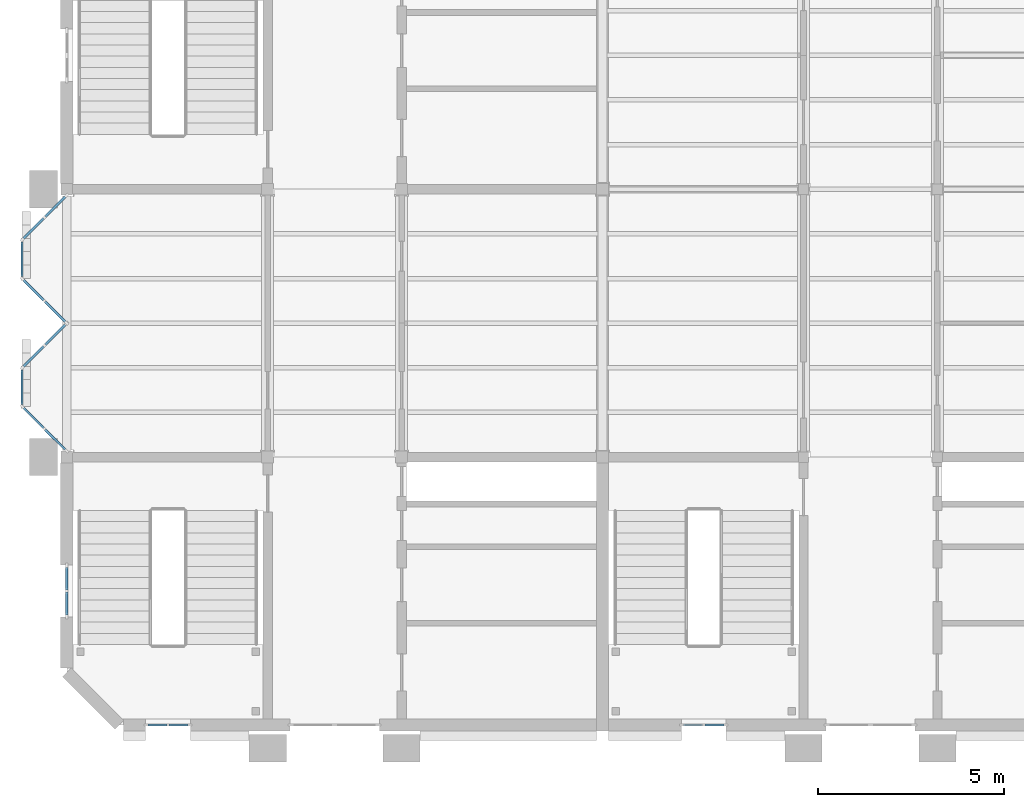
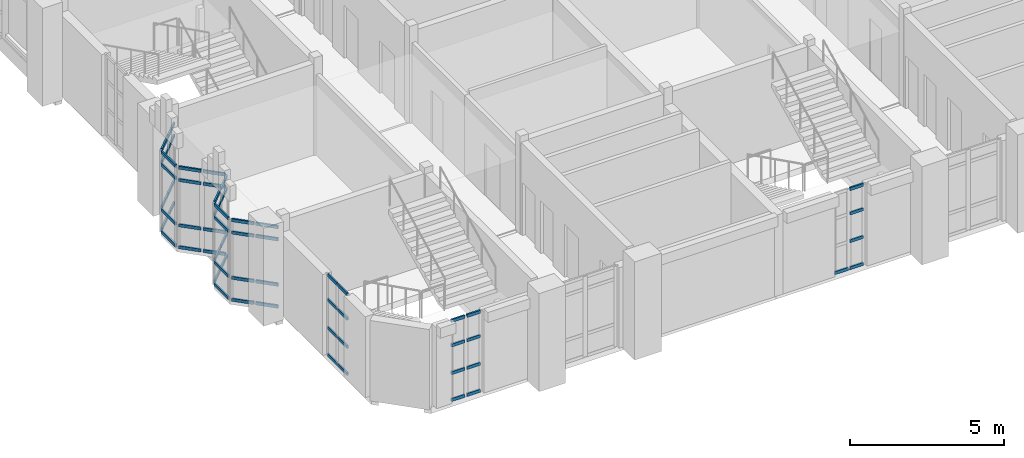
# One storey, part 21 of 71: 61 members, 9 elements without a shape of their own.
"""IFC4 building model written with IfcOpenShell, lengths in metres."""

from ifc_helpers import new_model, si_unit, direction, frame, origin, origin_2d, place, context, subcontext, project, spatial, rectangle, extrude, material, layer, layer_set, material_profile, profile_set, type_object, element, aggregate, save


model = new_model("IFC4")

# Units and contexts
model_context = context("Model", 3, precision=1e-05, world=origin(), true_north=direction((0.0, 1.0)))
body_context = subcontext(model_context, "Body", "Model", "MODEL_VIEW")
ifc_project = project(units=[si_unit("LENGTHUNIT", "METRE"), si_unit("AREAUNIT", "SQUARE_METRE"), si_unit("VOLUMEUNIT", "CUBIC_METRE"), si_unit("PLANEANGLEUNIT", "RADIAN"), si_unit("MASSUNIT", "GRAM", prefix="KILO")], contexts=[model_context])

# Site, building, storey
site_placement = place(None, origin())
site = spatial("IfcSite", under=ifc_project, at=site_placement, CompositionType="ELEMENT")
building_placement = place(site_placement, origin())
building = spatial("IfcBuilding", under=site, at=building_placement, Name="Mazhai Court Health Centre", CompositionType="ELEMENT")
storey_placement = place(building_placement, frame((0.0, 0.0, 10.199951171875)))
storey = spatial("IfcBuildingStorey", under=building, at=storey_placement, Name="L02", CompositionType="ELEMENT", Elevation=10.199951171875)

# Curtain wall, members
ifc_material_1 = material(Name="Teak timber frame, glazed", Category="wood")
ifc_layer_1 = layer(ifc_material_1, 0.10009765625)
ifc_layer_set_1 = layer_set([ifc_layer_1], Name="CURTAIN WALL TIMBER 600")
curtain_wall_type_1 = type_object("IfcCurtainWallType", Name="CURTAIN WALL TIMBER 600", PredefinedType="NOTDEFINED", material=ifc_layer_set_1)
curtain_wall_1_placement = place(storey_placement, origin())
curtain_wall_1 = element("IfcCurtainWall", 1, at=curtain_wall_1_placement, inside=storey, type_object=curtain_wall_type_1, Name="CW-V2-L02-A0", PredefinedType="NOTDEFINED")
ifc_material_2 = material(Name="Teak timber", Category="wood")
ifc_material_profile = material_profile(ifc_material_2, rectangle(XDim=0.06005859375, YDim=0.1201171875, at=origin_2d()), Name="CW TRANSOM 60x120")
ifc_profile_set = profile_set([ifc_material_profile], Name="Teak timber")
member_type = type_object("IfcMemberType", Name="CW TRANSOM 60x120", PredefinedType="USERDEFINED", material=ifc_profile_set)
member_1_placement = place(storey_placement, frame((6.199951171875, 9.159912109375, 0.030029296875), z_axis=(0.0, 1.0, 0.0), x_axis=(-1.0, 0.0, 0.0)))
member_1 = element("IfcMember", 2, at=member_1_placement, type_object=member_type, Name="CW transom 1.1", ObjectType="TRANSOM", PredefinedType="USERDEFINED", context=body_context, shape_type="SweptSolid", body=[
    extrude(rectangle(XDim=0.06005859375, YDim=0.1201171875, at=origin_2d()), origin(), (0.0, 0.0, 1.0), 0.610107421875),
])
member_2_placement = place(storey_placement, frame((6.199951171875, 9.159912109375, 1.10009765625), z_axis=(0.0, 1.0, 0.0), x_axis=(-1.0, 0.0, 0.0)))
member_2 = element("IfcMember", 3, at=member_2_placement, type_object=member_type, Name="CW transom 1.2", ObjectType="TRANSOM", PredefinedType="USERDEFINED", context=body_context, shape_type="SweptSolid", body=[
    extrude(rectangle(XDim=0.06005859375, YDim=0.1201171875, at=origin_2d()), origin(), (0.0, 0.0, 1.0), 0.610107421875),
])
member_3_placement = place(storey_placement, frame((6.199951171875, 9.159912109375, 2.219970703125), z_axis=(0.0, 1.0, 0.0), x_axis=(-1.0, 0.0, 0.0)))
member_3 = element("IfcMember", 4, at=member_3_placement, type_object=member_type, Name="CW transom 1.3", ObjectType="TRANSOM", PredefinedType="USERDEFINED", context=body_context, shape_type="SweptSolid", body=[
    extrude(rectangle(XDim=0.06005859375, YDim=0.1201171875, at=origin_2d()), origin(), (0.0, 0.0, 1.0), 0.610107421875),
])
member_4_placement = place(storey_placement, frame((6.199951171875, 9.159912109375, 3.18994140625), z_axis=(0.0, 1.0, 0.0), x_axis=(-1.0, 0.0, 0.0)))
member_4 = element("IfcMember", 5, at=member_4_placement, type_object=member_type, Name="CW transom 1.4", ObjectType="TRANSOM", PredefinedType="USERDEFINED", context=body_context, shape_type="SweptSolid", body=[
    extrude(rectangle(XDim=0.06005859375, YDim=0.1201171875, at=origin_2d()), origin(), (0.0, 0.0, 1.0), 0.610107421875),
])
member_5_placement = place(storey_placement, frame((6.199951171875, 9.830078125, 0.030029296875), z_axis=(0.0, 1.0, 0.0), x_axis=(-1.0, 0.0, 0.0)))
member_5 = element("IfcMember", 6, at=member_5_placement, type_object=member_type, Name="CW transom 2.1", ObjectType="TRANSOM", PredefinedType="USERDEFINED", context=body_context, shape_type="SweptSolid", body=[
    extrude(rectangle(XDim=0.06005859375, YDim=0.1201171875, at=origin_2d()), origin(), (0.0, 0.0, 1.0), 0.60986328125),
])
member_6_placement = place(storey_placement, frame((6.199951171875, 9.830078125, 1.10009765625), z_axis=(0.0, 1.0, 0.0), x_axis=(-1.0, 0.0, 0.0)))
member_6 = element("IfcMember", 7, at=member_6_placement, type_object=member_type, Name="CW transom 2.2", ObjectType="TRANSOM", PredefinedType="USERDEFINED", context=body_context, shape_type="SweptSolid", body=[
    extrude(rectangle(XDim=0.06005859375, YDim=0.1201171875, at=origin_2d()), origin(), (0.0, 0.0, 1.0), 0.60986328125),
])
member_7_placement = place(storey_placement, frame((6.199951171875, 9.830078125, 2.219970703125), z_axis=(0.0, 1.0, 0.0), x_axis=(-1.0, 0.0, 0.0)))
member_7 = element("IfcMember", 8, at=member_7_placement, type_object=member_type, Name="CW transom 2.3", ObjectType="TRANSOM", PredefinedType="USERDEFINED", context=body_context, shape_type="SweptSolid", body=[
    extrude(rectangle(XDim=0.06005859375, YDim=0.1201171875, at=origin_2d()), origin(), (0.0, 0.0, 1.0), 0.60986328125),
])
member_8_placement = place(storey_placement, frame((6.199951171875, 9.830078125, 3.18994140625), z_axis=(0.0, 1.0, 0.0), x_axis=(-1.0, 0.0, 0.0)))
member_8 = element("IfcMember", 9, at=member_8_placement, type_object=member_type, Name="CW transom 2.4", ObjectType="TRANSOM", PredefinedType="USERDEFINED", context=body_context, shape_type="SweptSolid", body=[
    extrude(rectangle(XDim=0.06005859375, YDim=0.1201171875, at=origin_2d()), origin(), (0.0, 0.0, 1.0), 0.60986328125),
])
aggregate(curtain_wall_1, [member_1, member_2, member_3, member_4, member_5, member_6, member_7, member_8])

ifc_material_3 = material(Name="Teak timber frame, glazed", Category="wood")
ifc_layer_2 = layer(ifc_material_3, 0.10009765625)
ifc_layer_set_2 = layer_set([ifc_layer_2], Name="CURTAIN WALL TIMBER 900")
curtain_wall_type_2 = type_object("IfcCurtainWallType", Name="CURTAIN WALL TIMBER 900", PredefinedType="NOTDEFINED", material=ifc_layer_set_2)
curtain_wall_2_placement = place(storey_placement, origin())
curtain_wall_2 = element("IfcCurtainWall", 10, at=curtain_wall_2_placement, inside=storey, type_object=curtain_wall_type_2, Name="CW-ORIEL-V2-L02-A10-0", PredefinedType="NOTDEFINED")
member_9_placement = place(storey_placement, frame((6.157470703125, 13.6025390625, 0.030029296875), z_axis=(-0.707267725025, 0.706945800708, 0.0), x_axis=(-0.706945800708, -0.707267725025, 0.0)))
member_9 = element("IfcMember", 11, at=member_9_placement, type_object=member_type, Name="CW transom 1.1", ObjectType="TRANSOM", PredefinedType="USERDEFINED", context=body_context, shape_type="SweptSolid", body=[
    extrude(rectangle(XDim=0.06005859375, YDim=0.1201171875, at=origin_2d()), origin(), (0.0, 0.0, 1.0), 0.75830078125),
])
member_10_placement = place(storey_placement, frame((6.157470703125, 13.6025390625, 0.900146484375), z_axis=(-0.707267725025, 0.706945800708, 0.0), x_axis=(-0.706945800708, -0.707267725025, 0.0)))
member_10 = element("IfcMember", 12, at=member_10_placement, type_object=member_type, Name="CW transom 1.2", ObjectType="TRANSOM", PredefinedType="USERDEFINED", context=body_context, shape_type="SweptSolid", body=[
    extrude(rectangle(XDim=0.06005859375, YDim=0.1201171875, at=origin_2d()), origin(), (0.0, 0.0, 1.0), 0.75830078125),
])
member_11_placement = place(storey_placement, frame((6.157470703125, 13.6025390625, 2.699951171875), z_axis=(-0.707267725025, 0.706945800708, 0.0), x_axis=(-0.706945800708, -0.707267725025, 0.0)))
member_11 = element("IfcMember", 13, at=member_11_placement, type_object=member_type, Name="CW transom 1.3", ObjectType="TRANSOM", PredefinedType="USERDEFINED", context=body_context, shape_type="SweptSolid", body=[
    extrude(rectangle(XDim=0.06005859375, YDim=0.1201171875, at=origin_2d()), origin(), (0.0, 0.0, 1.0), 0.75830078125),
])
member_12_placement = place(storey_placement, frame((6.157470703125, 13.6025390625, 3.18994140625), z_axis=(-0.707267725025, 0.706945800708, 0.0), x_axis=(-0.706945800708, -0.707267725025, 0.0)))
member_12 = element("IfcMember", 14, at=member_12_placement, type_object=member_type, Name="CW transom 1.4", ObjectType="TRANSOM", PredefinedType="USERDEFINED", context=body_context, shape_type="SweptSolid", body=[
    extrude(rectangle(XDim=0.06005859375, YDim=0.1201171875, at=origin_2d()), origin(), (0.0, 0.0, 1.0), 0.75830078125),
])
member_13_placement = place(storey_placement, frame((5.578857421875, 14.18115234375, 0.030029296875), z_axis=(-0.707106781187, 0.707106781187, 0.0), x_axis=(-0.707106781187, -0.707106781187, 0.0)))
member_13 = element("IfcMember", 15, at=member_13_placement, type_object=member_type, Name="CW transom 2.1", ObjectType="TRANSOM", PredefinedType="USERDEFINED", context=body_context, shape_type="SweptSolid", body=[
    extrude(rectangle(XDim=0.06005859375, YDim=0.1201171875, at=origin_2d()), origin(), (0.0, 0.0, 1.0), 0.758544921875),
])
member_14_placement = place(storey_placement, frame((5.578857421875, 14.18115234375, 0.900146484375), z_axis=(-0.707106781187, 0.707106781187, 0.0), x_axis=(-0.707106781187, -0.707106781187, 0.0)))
member_14 = element("IfcMember", 16, at=member_14_placement, type_object=member_type, Name="CW transom 2.2", ObjectType="TRANSOM", PredefinedType="USERDEFINED", context=body_context, shape_type="SweptSolid", body=[
    extrude(rectangle(XDim=0.06005859375, YDim=0.1201171875, at=origin_2d()), origin(), (0.0, 0.0, 1.0), 0.758544921875),
])
member_15_placement = place(storey_placement, frame((5.578857421875, 14.18115234375, 2.699951171875), z_axis=(-0.707106781187, 0.707106781187, 0.0), x_axis=(-0.707106781187, -0.707106781187, 0.0)))
member_15 = element("IfcMember", 17, at=member_15_placement, type_object=member_type, Name="CW transom 2.3", ObjectType="TRANSOM", PredefinedType="USERDEFINED", context=body_context, shape_type="SweptSolid", body=[
    extrude(rectangle(XDim=0.06005859375, YDim=0.1201171875, at=origin_2d()), origin(), (0.0, 0.0, 1.0), 0.758544921875),
])
member_16_placement = place(storey_placement, frame((5.578857421875, 14.18115234375, 3.18994140625), z_axis=(-0.707106781187, 0.707106781187, 0.0), x_axis=(-0.707106781187, -0.707106781187, 0.0)))
member_16 = element("IfcMember", 18, at=member_16_placement, type_object=member_type, Name="CW transom 2.4", ObjectType="TRANSOM", PredefinedType="USERDEFINED", context=body_context, shape_type="SweptSolid", body=[
    extrude(rectangle(XDim=0.06005859375, YDim=0.1201171875, at=origin_2d()), origin(), (0.0, 0.0, 1.0), 0.758544921875),
])
aggregate(curtain_wall_2, [member_9, member_10, member_11, member_12, member_13, member_14, member_15, member_16])

curtain_wall_3_placement = place(storey_placement, origin())
curtain_wall_3 = element("IfcCurtainWall", 19, at=curtain_wall_3_placement, inside=storey, type_object=curtain_wall_type_2, Name="CW-ORIEL-V2-L02-A10-1", PredefinedType="NOTDEFINED")
member_17_placement = place(storey_placement, frame((5.0, 14.820068359375, 0.030029296875), z_axis=(0.0, 1.0, 0.0), x_axis=(-1.0, 0.0, 0.0)))
member_17 = element("IfcMember", 20, at=member_17_placement, type_object=member_type, Name="CW transom 1.1", ObjectType="TRANSOM", PredefinedType="USERDEFINED", context=body_context, shape_type="SweptSolid", body=[
    extrude(rectangle(XDim=0.06005859375, YDim=0.1201171875, at=origin_2d()), origin(), (0.0, 0.0, 1.0), 0.919921875),
])
member_18_placement = place(storey_placement, frame((5.0, 14.820068359375, 0.900146484375), z_axis=(0.0, 1.0, 0.0), x_axis=(-1.0, 0.0, 0.0)))
member_18 = element("IfcMember", 21, at=member_18_placement, type_object=member_type, Name="CW transom 1.2", ObjectType="TRANSOM", PredefinedType="USERDEFINED", context=body_context, shape_type="SweptSolid", body=[
    extrude(rectangle(XDim=0.06005859375, YDim=0.1201171875, at=origin_2d()), origin(), (0.0, 0.0, 1.0), 0.919921875),
])
member_19_placement = place(storey_placement, frame((5.0, 14.820068359375, 2.699951171875), z_axis=(0.0, 1.0, 0.0), x_axis=(-1.0, 0.0, 0.0)))
member_19 = element("IfcMember", 22, at=member_19_placement, type_object=member_type, Name="CW transom 1.3", ObjectType="TRANSOM", PredefinedType="USERDEFINED", context=body_context, shape_type="SweptSolid", body=[
    extrude(rectangle(XDim=0.06005859375, YDim=0.1201171875, at=origin_2d()), origin(), (0.0, 0.0, 1.0), 0.919921875),
])
member_20_placement = place(storey_placement, frame((5.0, 14.820068359375, 3.18994140625), z_axis=(0.0, 1.0, 0.0), x_axis=(-1.0, 0.0, 0.0)))
member_20 = element("IfcMember", 23, at=member_20_placement, type_object=member_type, Name="CW transom 1.4", ObjectType="TRANSOM", PredefinedType="USERDEFINED", context=body_context, shape_type="SweptSolid", body=[
    extrude(rectangle(XDim=0.06005859375, YDim=0.1201171875, at=origin_2d()), origin(), (0.0, 0.0, 1.0), 0.919921875),
])
aggregate(curtain_wall_3, [member_17, member_18, member_19, member_20])

curtain_wall_4_placement = place(storey_placement, origin())
curtain_wall_4 = element("IfcCurtainWall", 24, at=curtain_wall_4_placement, inside=storey, type_object=curtain_wall_type_2, Name="CW-ORIEL-V2-L02-A10-2", PredefinedType="NOTDEFINED")
member_21_placement = place(storey_placement, frame((5.04248046875, 15.842529296875, 0.030029296875), z_axis=(0.707106781187, 0.707106781187, 0.0), x_axis=(-0.707106781187, 0.707106781187, 0.0)))
member_21 = element("IfcMember", 25, at=member_21_placement, type_object=member_type, Name="CW transom 1.1", ObjectType="TRANSOM", PredefinedType="USERDEFINED", context=body_context, shape_type="SweptSolid", body=[
    extrude(rectangle(XDim=0.06005859375, YDim=0.1201171875, at=origin_2d()), origin(), (0.0, 0.0, 1.0), 0.758544921875),
])
member_22_placement = place(storey_placement, frame((5.04248046875, 15.842529296875, 0.900146484375), z_axis=(0.707106781187, 0.707106781187, 0.0), x_axis=(-0.707106781187, 0.707106781187, 0.0)))
member_22 = element("IfcMember", 26, at=member_22_placement, type_object=member_type, Name="CW transom 1.2", ObjectType="TRANSOM", PredefinedType="USERDEFINED", context=body_context, shape_type="SweptSolid", body=[
    extrude(rectangle(XDim=0.06005859375, YDim=0.1201171875, at=origin_2d()), origin(), (0.0, 0.0, 1.0), 0.758544921875),
])
member_23_placement = place(storey_placement, frame((5.04248046875, 15.842529296875, 2.699951171875), z_axis=(0.707106781187, 0.707106781187, 0.0), x_axis=(-0.707106781187, 0.707106781187, 0.0)))
member_23 = element("IfcMember", 27, at=member_23_placement, type_object=member_type, Name="CW transom 1.3", ObjectType="TRANSOM", PredefinedType="USERDEFINED", context=body_context, shape_type="SweptSolid", body=[
    extrude(rectangle(XDim=0.06005859375, YDim=0.1201171875, at=origin_2d()), origin(), (0.0, 0.0, 1.0), 0.758544921875),
])
member_24_placement = place(storey_placement, frame((5.04248046875, 15.842529296875, 3.18994140625), z_axis=(0.707106781187, 0.707106781187, 0.0), x_axis=(-0.707106781187, 0.707106781187, 0.0)))
member_24 = element("IfcMember", 28, at=member_24_placement, type_object=member_type, Name="CW transom 1.4", ObjectType="TRANSOM", PredefinedType="USERDEFINED", context=body_context, shape_type="SweptSolid", body=[
    extrude(rectangle(XDim=0.06005859375, YDim=0.1201171875, at=origin_2d()), origin(), (0.0, 0.0, 1.0), 0.758544921875),
])
member_25_placement = place(storey_placement, frame((5.62109375, 16.421142578125, 0.030029296875), z_axis=(0.707106781187, 0.707106781187, 0.0), x_axis=(-0.707106781187, 0.707106781187, 0.0)))
member_25 = element("IfcMember", 29, at=member_25_placement, type_object=member_type, Name="CW transom 2.1", ObjectType="TRANSOM", PredefinedType="USERDEFINED", context=body_context, shape_type="SweptSolid", body=[
    extrude(rectangle(XDim=0.06005859375, YDim=0.1201171875, at=origin_2d()), origin(), (0.0, 0.0, 1.0), 0.758544921875),
])
member_26_placement = place(storey_placement, frame((5.62109375, 16.421142578125, 0.900146484375), z_axis=(0.707106781187, 0.707106781187, 0.0), x_axis=(-0.707106781187, 0.707106781187, 0.0)))
member_26 = element("IfcMember", 30, at=member_26_placement, type_object=member_type, Name="CW transom 2.2", ObjectType="TRANSOM", PredefinedType="USERDEFINED", context=body_context, shape_type="SweptSolid", body=[
    extrude(rectangle(XDim=0.06005859375, YDim=0.1201171875, at=origin_2d()), origin(), (0.0, 0.0, 1.0), 0.758544921875),
])
member_27_placement = place(storey_placement, frame((5.62109375, 16.421142578125, 2.699951171875), z_axis=(0.707106781187, 0.707106781187, 0.0), x_axis=(-0.707106781187, 0.707106781187, 0.0)))
member_27 = element("IfcMember", 31, at=member_27_placement, type_object=member_type, Name="CW transom 2.3", ObjectType="TRANSOM", PredefinedType="USERDEFINED", context=body_context, shape_type="SweptSolid", body=[
    extrude(rectangle(XDim=0.06005859375, YDim=0.1201171875, at=origin_2d()), origin(), (0.0, 0.0, 1.0), 0.758544921875),
])
member_28_placement = place(storey_placement, frame((5.62109375, 16.421142578125, 3.18994140625), z_axis=(0.707106781187, 0.707106781187, 0.0), x_axis=(-0.707106781187, 0.707106781187, 0.0)))
member_28 = element("IfcMember", 32, at=member_28_placement, type_object=member_type, Name="CW transom 2.4", ObjectType="TRANSOM", PredefinedType="USERDEFINED", context=body_context, shape_type="SweptSolid", body=[
    extrude(rectangle(XDim=0.06005859375, YDim=0.1201171875, at=origin_2d()), origin(), (0.0, 0.0, 1.0), 0.758544921875),
])
aggregate(curtain_wall_4, [member_21, member_22, member_23, member_24, member_25, member_26, member_27, member_28])

curtain_wall_5_placement = place(storey_placement, origin())
curtain_wall_5 = element("IfcCurtainWall", 33, at=curtain_wall_5_placement, inside=storey, type_object=curtain_wall_type_2, Name="CW-ORIEL-V2-L02-A11-0", PredefinedType="NOTDEFINED")
member_29_placement = place(storey_placement, frame((6.157470703125, 17.04248046875, 0.030029296875), z_axis=(-0.707106781187, 0.707106781187, 0.0), x_axis=(-0.707106781187, -0.707106781187, 0.0)))
member_29 = element("IfcMember", 34, at=member_29_placement, type_object=member_type, Name="CW transom 1.1", ObjectType="TRANSOM", PredefinedType="USERDEFINED", context=body_context, shape_type="SweptSolid", body=[
    extrude(rectangle(XDim=0.06005859375, YDim=0.1201171875, at=origin_2d()), origin(), (0.0, 0.0, 1.0), 0.758544921875),
])
member_30_placement = place(storey_placement, frame((6.157470703125, 17.04248046875, 0.900146484375), z_axis=(-0.707106781187, 0.707106781187, 0.0), x_axis=(-0.707106781187, -0.707106781187, 0.0)))
member_30 = element("IfcMember", 35, at=member_30_placement, type_object=member_type, Name="CW transom 1.2", ObjectType="TRANSOM", PredefinedType="USERDEFINED", context=body_context, shape_type="SweptSolid", body=[
    extrude(rectangle(XDim=0.06005859375, YDim=0.1201171875, at=origin_2d()), origin(), (0.0, 0.0, 1.0), 0.758544921875),
])
member_31_placement = place(storey_placement, frame((6.157470703125, 17.04248046875, 2.699951171875), z_axis=(-0.707106781187, 0.707106781187, 0.0), x_axis=(-0.707106781187, -0.707106781187, 0.0)))
member_31 = element("IfcMember", 36, at=member_31_placement, type_object=member_type, Name="CW transom 1.3", ObjectType="TRANSOM", PredefinedType="USERDEFINED", context=body_context, shape_type="SweptSolid", body=[
    extrude(rectangle(XDim=0.06005859375, YDim=0.1201171875, at=origin_2d()), origin(), (0.0, 0.0, 1.0), 0.758544921875),
])
member_32_placement = place(storey_placement, frame((6.157470703125, 17.04248046875, 3.18994140625), z_axis=(-0.707106781187, 0.707106781187, 0.0), x_axis=(-0.707106781187, -0.707106781187, 0.0)))
member_32 = element("IfcMember", 37, at=member_32_placement, type_object=member_type, Name="CW transom 1.4", ObjectType="TRANSOM", PredefinedType="USERDEFINED", context=body_context, shape_type="SweptSolid", body=[
    extrude(rectangle(XDim=0.06005859375, YDim=0.1201171875, at=origin_2d()), origin(), (0.0, 0.0, 1.0), 0.758544921875),
])
member_33_placement = place(storey_placement, frame((5.578857421875, 17.62109375, 0.030029296875), z_axis=(-0.707106781187, 0.707106781187, 0.0), x_axis=(-0.707106781187, -0.707106781187, 0.0)))
member_33 = element("IfcMember", 38, at=member_33_placement, type_object=member_type, Name="CW transom 2.1", ObjectType="TRANSOM", PredefinedType="USERDEFINED", context=body_context, shape_type="SweptSolid", body=[
    extrude(rectangle(XDim=0.06005859375, YDim=0.1201171875, at=origin_2d()), origin(), (0.0, 0.0, 1.0), 0.758544921875),
])
member_34_placement = place(storey_placement, frame((5.578857421875, 17.62109375, 0.900146484375), z_axis=(-0.707106781187, 0.707106781187, 0.0), x_axis=(-0.707106781187, -0.707106781187, 0.0)))
member_34 = element("IfcMember", 39, at=member_34_placement, type_object=member_type, Name="CW transom 2.2", ObjectType="TRANSOM", PredefinedType="USERDEFINED", context=body_context, shape_type="SweptSolid", body=[
    extrude(rectangle(XDim=0.06005859375, YDim=0.1201171875, at=origin_2d()), origin(), (0.0, 0.0, 1.0), 0.758544921875),
])
member_35_placement = place(storey_placement, frame((5.578857421875, 17.62109375, 2.699951171875), z_axis=(-0.707106781187, 0.707106781187, 0.0), x_axis=(-0.707106781187, -0.707106781187, 0.0)))
member_35 = element("IfcMember", 40, at=member_35_placement, type_object=member_type, Name="CW transom 2.3", ObjectType="TRANSOM", PredefinedType="USERDEFINED", context=body_context, shape_type="SweptSolid", body=[
    extrude(rectangle(XDim=0.06005859375, YDim=0.1201171875, at=origin_2d()), origin(), (0.0, 0.0, 1.0), 0.758544921875),
])
member_36_placement = place(storey_placement, frame((5.578857421875, 17.62109375, 3.18994140625), z_axis=(-0.707106781187, 0.707106781187, 0.0), x_axis=(-0.707106781187, -0.707106781187, 0.0)))
member_36 = element("IfcMember", 41, at=member_36_placement, type_object=member_type, Name="CW transom 2.4", ObjectType="TRANSOM", PredefinedType="USERDEFINED", context=body_context, shape_type="SweptSolid", body=[
    extrude(rectangle(XDim=0.06005859375, YDim=0.1201171875, at=origin_2d()), origin(), (0.0, 0.0, 1.0), 0.758544921875),
])
aggregate(curtain_wall_5, [member_29, member_30, member_31, member_32, member_33, member_34, member_35, member_36])

curtain_wall_6_placement = place(storey_placement, origin())
curtain_wall_6 = element("IfcCurtainWall", 42, at=curtain_wall_6_placement, inside=storey, type_object=curtain_wall_type_2, Name="CW-ORIEL-V2-L02-A11-1", PredefinedType="NOTDEFINED")
member_37_placement = place(storey_placement, frame((5.0, 18.260009765625, 0.030029296875), z_axis=(0.0, 1.0, 0.0), x_axis=(-1.0, 0.0, 0.0)))
member_37 = element("IfcMember", 43, at=member_37_placement, type_object=member_type, Name="CW transom 1.1", ObjectType="TRANSOM", PredefinedType="USERDEFINED", context=body_context, shape_type="SweptSolid", body=[
    extrude(rectangle(XDim=0.06005859375, YDim=0.1201171875, at=origin_2d()), origin(), (0.0, 0.0, 1.0), 0.919921875),
])
member_38_placement = place(storey_placement, frame((5.0, 18.260009765625, 0.900146484375), z_axis=(0.0, 1.0, 0.0), x_axis=(-1.0, 0.0, 0.0)))
member_38 = element("IfcMember", 44, at=member_38_placement, type_object=member_type, Name="CW transom 1.2", ObjectType="TRANSOM", PredefinedType="USERDEFINED", context=body_context, shape_type="SweptSolid", body=[
    extrude(rectangle(XDim=0.06005859375, YDim=0.1201171875, at=origin_2d()), origin(), (0.0, 0.0, 1.0), 0.919921875),
])
member_39_placement = place(storey_placement, frame((5.0, 18.260009765625, 2.699951171875), z_axis=(0.0, 1.0, 0.0), x_axis=(-1.0, 0.0, 0.0)))
member_39 = element("IfcMember", 45, at=member_39_placement, type_object=member_type, Name="CW transom 1.3", ObjectType="TRANSOM", PredefinedType="USERDEFINED", context=body_context, shape_type="SweptSolid", body=[
    extrude(rectangle(XDim=0.06005859375, YDim=0.1201171875, at=origin_2d()), origin(), (0.0, 0.0, 1.0), 0.919921875),
])
member_40_placement = place(storey_placement, frame((5.0, 18.260009765625, 3.18994140625), z_axis=(0.0, 1.0, 0.0), x_axis=(-1.0, 0.0, 0.0)))
member_40 = element("IfcMember", 46, at=member_40_placement, type_object=member_type, Name="CW transom 1.4", ObjectType="TRANSOM", PredefinedType="USERDEFINED", context=body_context, shape_type="SweptSolid", body=[
    extrude(rectangle(XDim=0.06005859375, YDim=0.1201171875, at=origin_2d()), origin(), (0.0, 0.0, 1.0), 0.919921875),
])
aggregate(curtain_wall_6, [member_37, member_38, member_39, member_40])

curtain_wall_7_placement = place(storey_placement, origin())
curtain_wall_7 = element("IfcCurtainWall", 47, at=curtain_wall_7_placement, inside=storey, type_object=curtain_wall_type_2, Name="CW-ORIEL-V2-L02-A11-2", PredefinedType="NOTDEFINED")
member_41_placement = place(storey_placement, frame((5.04248046875, 19.282470703125, 0.030029296875), z_axis=(0.707106781187, 0.707106781187, 0.0), x_axis=(-0.707106781187, 0.707106781187, 0.0)))
member_41 = element("IfcMember", 48, at=member_41_placement, type_object=member_type, Name="CW transom 1.1", ObjectType="TRANSOM", PredefinedType="USERDEFINED", context=body_context, shape_type="SweptSolid", body=[
    extrude(rectangle(XDim=0.06005859375, YDim=0.1201171875, at=origin_2d()), origin(), (0.0, 0.0, 1.0), 0.758544921875),
])
member_42_placement = place(storey_placement, frame((5.04248046875, 19.282470703125, 0.900146484375), z_axis=(0.707106781187, 0.707106781187, 0.0), x_axis=(-0.707106781187, 0.707106781187, 0.0)))
member_42 = element("IfcMember", 49, at=member_42_placement, type_object=member_type, Name="CW transom 1.2", ObjectType="TRANSOM", PredefinedType="USERDEFINED", context=body_context, shape_type="SweptSolid", body=[
    extrude(rectangle(XDim=0.06005859375, YDim=0.1201171875, at=origin_2d()), origin(), (0.0, 0.0, 1.0), 0.758544921875),
])
member_43_placement = place(storey_placement, frame((5.04248046875, 19.282470703125, 2.699951171875), z_axis=(0.707106781187, 0.707106781187, 0.0), x_axis=(-0.707106781187, 0.707106781187, 0.0)))
member_43 = element("IfcMember", 50, at=member_43_placement, type_object=member_type, Name="CW transom 1.3", ObjectType="TRANSOM", PredefinedType="USERDEFINED", context=body_context, shape_type="SweptSolid", body=[
    extrude(rectangle(XDim=0.06005859375, YDim=0.1201171875, at=origin_2d()), origin(), (0.0, 0.0, 1.0), 0.758544921875),
])
member_44_placement = place(storey_placement, frame((5.04248046875, 19.282470703125, 3.18994140625), z_axis=(0.707106781187, 0.707106781187, 0.0), x_axis=(-0.707106781187, 0.707106781187, 0.0)))
member_44 = element("IfcMember", 51, at=member_44_placement, type_object=member_type, Name="CW transom 1.4", ObjectType="TRANSOM", PredefinedType="USERDEFINED", context=body_context, shape_type="SweptSolid", body=[
    extrude(rectangle(XDim=0.06005859375, YDim=0.1201171875, at=origin_2d()), origin(), (0.0, 0.0, 1.0), 0.758544921875),
])
member_45_placement = place(storey_placement, frame((5.62109375, 19.861328125, 0.030029296875), z_axis=(0.707267725025, 0.706945800708, 0.0), x_axis=(-0.706945800708, 0.707267725025, 0.0)))
member_45 = element("IfcMember", 52, at=member_45_placement, type_object=member_type, Name="CW transom 2.1", ObjectType="TRANSOM", PredefinedType="USERDEFINED", context=body_context, shape_type="SweptSolid", body=[
    extrude(rectangle(XDim=0.06005859375, YDim=0.1201171875, at=origin_2d()), origin(), (0.0, 0.0, 1.0), 0.75830078125),
])
member_46_placement = place(storey_placement, frame((5.62109375, 19.861328125, 0.900146484375), z_axis=(0.707267725025, 0.706945800708, 0.0), x_axis=(-0.706945800708, 0.707267725025, 0.0)))
member_46 = element("IfcMember", 53, at=member_46_placement, type_object=member_type, Name="CW transom 2.2", ObjectType="TRANSOM", PredefinedType="USERDEFINED", context=body_context, shape_type="SweptSolid", body=[
    extrude(rectangle(XDim=0.06005859375, YDim=0.1201171875, at=origin_2d()), origin(), (0.0, 0.0, 1.0), 0.75830078125),
])
member_47_placement = place(storey_placement, frame((5.62109375, 19.861328125, 2.699951171875), z_axis=(0.707267725025, 0.706945800708, 0.0), x_axis=(-0.706945800708, 0.707267725025, 0.0)))
member_47 = element("IfcMember", 54, at=member_47_placement, type_object=member_type, Name="CW transom 2.3", ObjectType="TRANSOM", PredefinedType="USERDEFINED", context=body_context, shape_type="SweptSolid", body=[
    extrude(rectangle(XDim=0.06005859375, YDim=0.1201171875, at=origin_2d()), origin(), (0.0, 0.0, 1.0), 0.75830078125),
])
member_48_placement = place(storey_placement, frame((5.62109375, 19.861328125, 3.18994140625), z_axis=(0.707267725025, 0.706945800708, 0.0), x_axis=(-0.706945800708, 0.707267725025, 0.0)))
member_48 = element("IfcMember", 55, at=member_48_placement, type_object=member_type, Name="CW transom 2.4", ObjectType="TRANSOM", PredefinedType="USERDEFINED", context=body_context, shape_type="SweptSolid", body=[
    extrude(rectangle(XDim=0.06005859375, YDim=0.1201171875, at=origin_2d()), origin(), (0.0, 0.0, 1.0), 0.75830078125),
])
aggregate(curtain_wall_7, [member_41, member_42, member_43, member_44, member_45, member_46, member_47, member_48])

curtain_wall_8_placement = place(storey_placement, origin())
curtain_wall_8 = element("IfcCurtainWall", 56, at=curtain_wall_8_placement, inside=storey, type_object=curtain_wall_type_1, Name="CW-V2-L02-SSTAIR0", PredefinedType="NOTDEFINED")
member_49_placement = place(storey_placement, frame((9.4599609375, 6.199951171875, 0.030029296875), z_axis=(-1.0, 0.0, 0.0), x_axis=(0.0, -1.0, 0.0)))
member_49 = element("IfcMember", 57, at=member_49_placement, type_object=member_type, Name="CW transom 1.1", ObjectType="TRANSOM", PredefinedType="USERDEFINED", context=body_context, shape_type="SweptSolid", body=[
    extrude(rectangle(XDim=0.06005859375, YDim=0.1201171875, at=origin_2d()), origin(), (0.0, 0.0, 1.0), 0.510009765625),
])
member_50_placement = place(storey_placement, frame((9.4599609375, 6.199951171875, 1.10009765625), z_axis=(-1.0, 0.0, 0.0), x_axis=(0.0, -1.0, 0.0)))
member_50 = element("IfcMember", 58, at=member_50_placement, type_object=member_type, Name="CW transom 1.2", ObjectType="TRANSOM", PredefinedType="USERDEFINED", context=body_context, shape_type="SweptSolid", body=[
    extrude(rectangle(XDim=0.06005859375, YDim=0.1201171875, at=origin_2d()), origin(), (0.0, 0.0, 1.0), 0.510009765625),
])
member_51_placement = place(storey_placement, frame((9.4599609375, 6.199951171875, 2.199951171875), z_axis=(-1.0, 0.0, 0.0), x_axis=(0.0, -1.0, 0.0)))
member_51 = element("IfcMember", 59, at=member_51_placement, type_object=member_type, Name="CW transom 1.3", ObjectType="TRANSOM", PredefinedType="USERDEFINED", context=body_context, shape_type="SweptSolid", body=[
    extrude(rectangle(XDim=0.06005859375, YDim=0.1201171875, at=origin_2d()), origin(), (0.0, 0.0, 1.0), 0.510009765625),
])
member_52_placement = place(storey_placement, frame((9.4599609375, 6.199951171875, 3.170166015625), z_axis=(-1.0, 0.0, 0.0), x_axis=(0.0, -1.0, 0.0)))
member_52 = element("IfcMember", 60, at=member_52_placement, type_object=member_type, Name="CW transom 1.4", ObjectType="TRANSOM", PredefinedType="USERDEFINED", context=body_context, shape_type="SweptSolid", body=[
    extrude(rectangle(XDim=0.06005859375, YDim=0.1201171875, at=origin_2d()), origin(), (0.0, 0.0, 1.0), 0.510009765625),
])
member_53_placement = place(storey_placement, frame((8.889892578125, 6.199951171875, 0.030029296875), z_axis=(-1.0, 0.0, 0.0), x_axis=(0.0, -1.0, 0.0)))
member_53 = element("IfcMember", 61, at=member_53_placement, type_object=member_type, Name="CW transom 2.1", ObjectType="TRANSOM", PredefinedType="USERDEFINED", context=body_context, shape_type="SweptSolid", body=[
    extrude(rectangle(XDim=0.06005859375, YDim=0.1201171875, at=origin_2d()), origin(), (0.0, 0.0, 1.0), 0.510009765625),
])
member_54_placement = place(storey_placement, frame((8.889892578125, 6.199951171875, 1.10009765625), z_axis=(-1.0, 0.0, 0.0), x_axis=(0.0, -1.0, 0.0)))
member_54 = element("IfcMember", 62, at=member_54_placement, type_object=member_type, Name="CW transom 2.2", ObjectType="TRANSOM", PredefinedType="USERDEFINED", context=body_context, shape_type="SweptSolid", body=[
    extrude(rectangle(XDim=0.06005859375, YDim=0.1201171875, at=origin_2d()), origin(), (0.0, 0.0, 1.0), 0.510009765625),
])
member_55_placement = place(storey_placement, frame((8.889892578125, 6.199951171875, 2.199951171875), z_axis=(-1.0, 0.0, 0.0), x_axis=(0.0, -1.0, 0.0)))
member_55 = element("IfcMember", 63, at=member_55_placement, type_object=member_type, Name="CW transom 2.3", ObjectType="TRANSOM", PredefinedType="USERDEFINED", context=body_context, shape_type="SweptSolid", body=[
    extrude(rectangle(XDim=0.06005859375, YDim=0.1201171875, at=origin_2d()), origin(), (0.0, 0.0, 1.0), 0.510009765625),
])
member_56_placement = place(storey_placement, frame((8.889892578125, 6.199951171875, 3.170166015625), z_axis=(-1.0, 0.0, 0.0), x_axis=(0.0, -1.0, 0.0)))
member_56 = element("IfcMember", 64, at=member_56_placement, type_object=member_type, Name="CW transom 2.4", ObjectType="TRANSOM", PredefinedType="USERDEFINED", context=body_context, shape_type="SweptSolid", body=[
    extrude(rectangle(XDim=0.06005859375, YDim=0.1201171875, at=origin_2d()), origin(), (0.0, 0.0, 1.0), 0.510009765625),
])
aggregate(curtain_wall_8, [member_49, member_50, member_51, member_52, member_53, member_54, member_55, member_56])

curtain_wall_9_placement = place(storey_placement, origin())
curtain_wall_9 = element("IfcCurtainWall", 65, at=curtain_wall_9_placement, inside=storey, type_object=curtain_wall_type_1, Name="CW-V5-L02-SSTAIR0", PredefinedType="NOTDEFINED")
member_57_placement = place(storey_placement, frame((23.860107421875, 6.199951171875, 0.030029296875), z_axis=(-1.0, 0.0, 0.0), x_axis=(0.0, -1.0, 0.0)))
member_57 = element("IfcMember", 66, at=member_57_placement, type_object=member_type, Name="CW transom 1.1", ObjectType="TRANSOM", PredefinedType="USERDEFINED", context=body_context, shape_type="SweptSolid", body=[
    extrude(rectangle(XDim=0.06005859375, YDim=0.1201171875, at=origin_2d()), origin(), (0.0, 0.0, 1.0), 0.510009765625),
])
member_58_placement = place(storey_placement, frame((23.860107421875, 6.199951171875, 1.10009765625), z_axis=(-1.0, 0.0, 0.0), x_axis=(0.0, -1.0, 0.0)))
member_58 = element("IfcMember", 67, at=member_58_placement, type_object=member_type, Name="CW transom 1.2", ObjectType="TRANSOM", PredefinedType="USERDEFINED", context=body_context, shape_type="SweptSolid", body=[
    extrude(rectangle(XDim=0.06005859375, YDim=0.1201171875, at=origin_2d()), origin(), (0.0, 0.0, 1.0), 0.510009765625),
])
member_59_placement = place(storey_placement, frame((23.860107421875, 6.199951171875, 2.199951171875), z_axis=(-1.0, 0.0, 0.0), x_axis=(0.0, -1.0, 0.0)))
member_59 = element("IfcMember", 68, at=member_59_placement, type_object=member_type, Name="CW transom 1.3", ObjectType="TRANSOM", PredefinedType="USERDEFINED", context=body_context, shape_type="SweptSolid", body=[
    extrude(rectangle(XDim=0.06005859375, YDim=0.1201171875, at=origin_2d()), origin(), (0.0, 0.0, 1.0), 0.510009765625),
])
member_60_placement = place(storey_placement, frame((23.860107421875, 6.199951171875, 3.170166015625), z_axis=(-1.0, 0.0, 0.0), x_axis=(0.0, -1.0, 0.0)))
member_60 = element("IfcMember", 69, at=member_60_placement, type_object=member_type, Name="CW transom 1.4", ObjectType="TRANSOM", PredefinedType="USERDEFINED", context=body_context, shape_type="SweptSolid", body=[
    extrude(rectangle(XDim=0.06005859375, YDim=0.1201171875, at=origin_2d()), origin(), (0.0, 0.0, 1.0), 0.510009765625),
])
member_61_placement = place(storey_placement, frame((23.2900390625, 6.199951171875, 0.030029296875), z_axis=(-1.0, 0.0, 0.0), x_axis=(0.0, -1.0, 0.0)))
member_61 = element("IfcMember", 70, at=member_61_placement, type_object=member_type, Name="CW transom 2.1", ObjectType="TRANSOM", PredefinedType="USERDEFINED", context=body_context, shape_type="SweptSolid", body=[
    extrude(rectangle(XDim=0.06005859375, YDim=0.1201171875, at=origin_2d()), origin(), (0.0, 0.0, 1.0), 0.510009765625),
])
aggregate(curtain_wall_9, [member_57, member_58, member_59, member_60, member_61])

save(model, "model.ifc")
